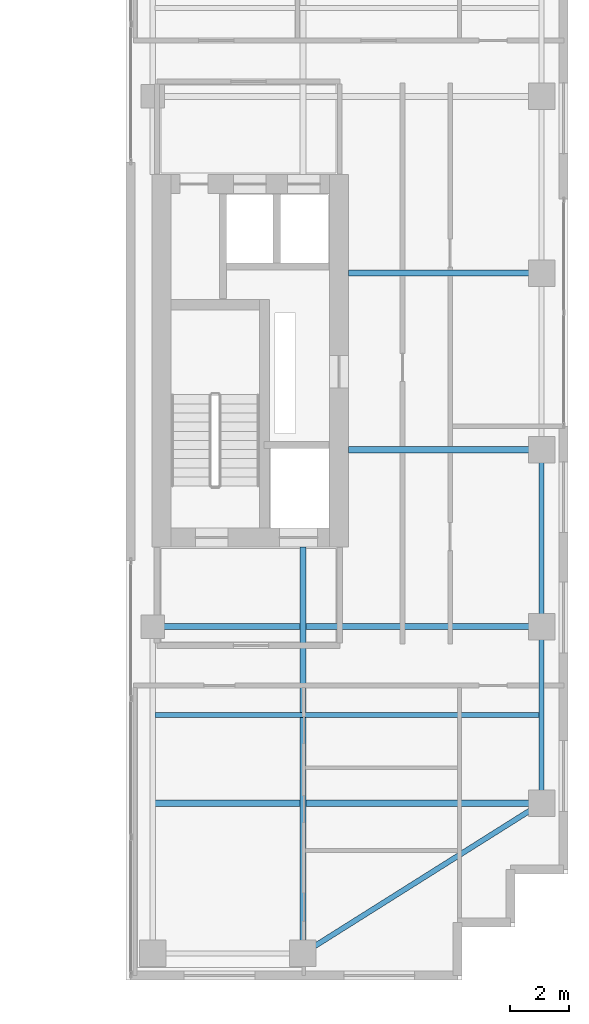
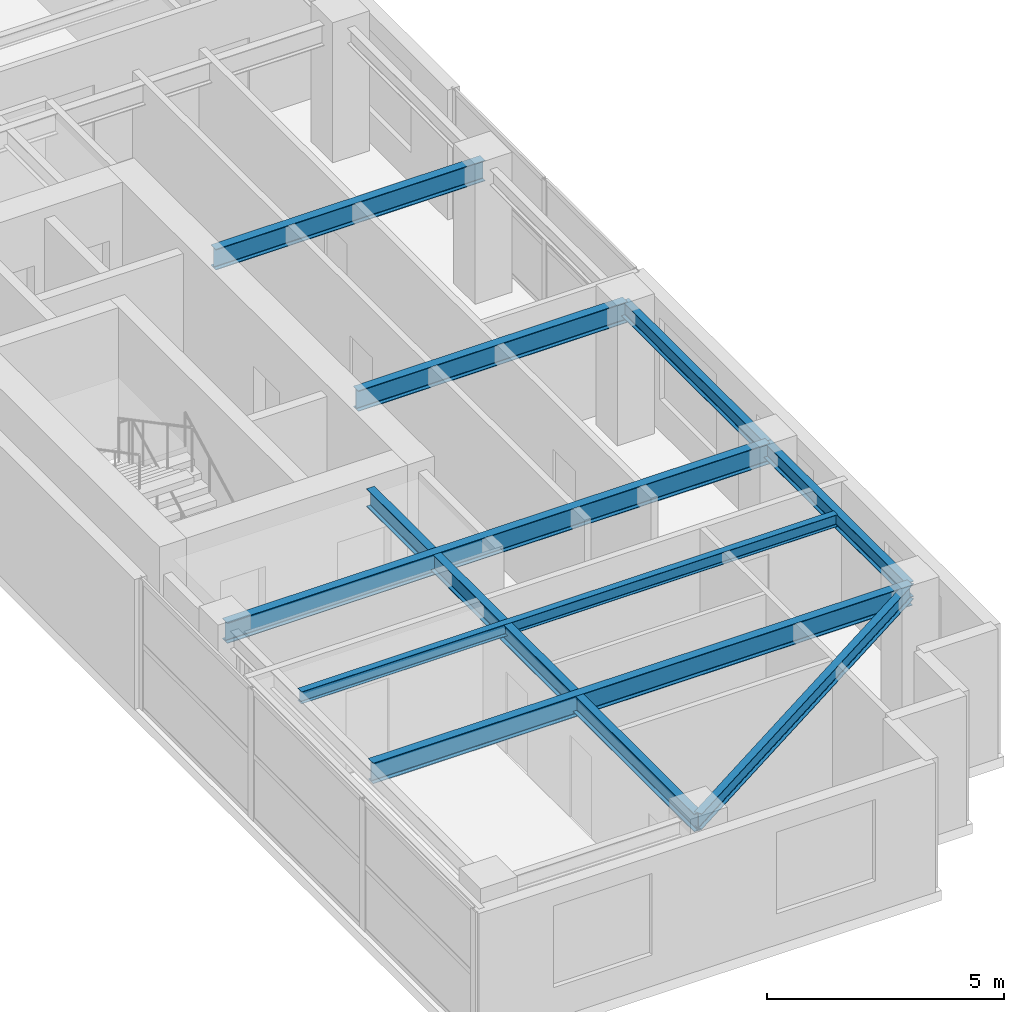
# One storey, part 9 of 22: 9 beams.
"""IFC4 building model written with IfcOpenShell, lengths in metres."""

from ifc_helpers import new_model, si_unit, direction, frame, origin, origin_2d, place, context, subcontext, project, spatial, i_section, extrude, source, transform, mapped, material, material_profile, profile_set, type_object, element, save


model = new_model("IFC4")

# Units and contexts
model_context = context("Model", 3, precision=1e-05, world=origin(), true_north=direction((0.0, 1.0)))
body_context = subcontext(model_context, "Body", "Model", "MODEL_VIEW")
ifc_project = project(units=[si_unit("LENGTHUNIT", "METRE"), si_unit("AREAUNIT", "SQUARE_METRE"), si_unit("VOLUMEUNIT", "CUBIC_METRE"), si_unit("PLANEANGLEUNIT", "RADIAN"), si_unit("MASSUNIT", "GRAM", prefix="KILO")], contexts=[model_context])

# Site, building, storey
site_placement = place(None, origin())
site = spatial("IfcSite", under=ifc_project, at=site_placement, CompositionType="ELEMENT")
building_placement = place(site_placement, origin())
building = spatial("IfcBuilding", under=site, at=building_placement, Name="Khoralis Quay Care Tower", CompositionType="ELEMENT")
storey_placement = place(building_placement, frame((0.0, 0.0, 184.5)))
storey = spatial("IfcBuildingStorey", under=building, at=storey_placement, Name="L48", CompositionType="ELEMENT", Elevation=184.5)

# Beams
ifc_material = material(Name="Steel S355", Category="steel")
ifc_material_profile_1 = material_profile(ifc_material, i_section(OverallWidth=0.179931640625, OverallDepth=0.39990234375, WebThickness=0.008544921875, FlangeThickness=0.013427734375, FilletRadius=0.02099609375, at=origin_2d()), Name="Steel S355")
ifc_profile_set_1 = profile_set([ifc_material_profile_1], Name="Steel S355")
beam_type_1 = type_object("IfcBeamType", Name="BM-IPE400", PredefinedType="SPANDREL", material=ifc_profile_set_1)
shared_shape_1 = source(origin(), body_context, "Body", "SweptSolid", [
    extrude(i_section(OverallWidth=0.179931640625, OverallDepth=0.39990234375, WebThickness=0.008544921875, FlangeThickness=0.013427734375, FilletRadius=0.02099609375, at=origin_2d()), origin(), (0.0, 0.0, 1.0), 6.0),
])
for number, where, z_axis, x_axis, name in (
    (1, (44.10009765625, 6.0, 3.139892578125), (0.0, 1.0, 0.0), (-1.0, 0.0, 0.0), "BM-TSP-L48-10"),
    (2, (44.10009765625, 12.0, 3.139892578125), (0.0, 1.0, 0.0), (-1.0, 0.0, 0.0), "BM-TSP-L48-11"),
):
    element("IfcBeam", number, at=place(storey_placement, frame(where, z_axis=z_axis, x_axis=x_axis)), inside=storey, type_object=beam_type_1, Name=name, PredefinedType="SPANDREL", context=body_context, shape_type="MappedRepresentation", body=[
        mapped(shared_shape_1, transform((0.0, 0.0, 0.0), scale=1.0)),
    ])
shared_shape_2 = source(origin(), body_context, "Body", "SweptSolid", [
    extrude(i_section(OverallWidth=0.179931640625, OverallDepth=0.39990234375, WebThickness=0.008544921875, FlangeThickness=0.013427734375, FilletRadius=0.02099609375, at=origin_2d()), origin(), (0.0, 0.0, 1.0), 9.572021484375),
])
beam_1_placement = place(storey_placement, frame((36.0, 0.89990234375, 3.139892578125), z_axis=(0.846231136359, 0.532815975602, 0.0), x_axis=(-0.532815975602, 0.846231136359, 0.0)))
element("IfcBeam", 3, at=beam_1_placement, inside=storey, type_object=beam_type_1, Name="BM-TCR-L48-16", PredefinedType="SPANDREL", context=body_context, shape_type="MappedRepresentation", body=[
    mapped(shared_shape_2, transform((0.0, 0.0, 0.0), scale=1.0)),
])
ifc_material_profile_2 = material_profile(ifc_material, i_section(OverallWidth=0.208984375, OverallDepth=0.532958984375, WebThickness=0.01025390625, FlangeThickness=0.015625, FilletRadius=0.01611328125, at=origin_2d()), Name="Steel S355")
ifc_profile_set_2 = profile_set([ifc_material_profile_2], Name="Steel S355")
beam_type_2 = type_object("IfcBeamType", Name="BM-W530X92", PredefinedType="BEAM", material=ifc_profile_set_2)
shared_shape_3 = source(origin(), body_context, "Body", "SweptSolid", [
    extrude(i_section(OverallWidth=0.208984375, OverallDepth=0.532958984375, WebThickness=0.01025390625, FlangeThickness=0.015625, FilletRadius=0.01611328125, at=origin_2d()), origin(), (0.0, 0.0, 1.0), 13.1162109375),
])
beam_2_placement = place(storey_placement, frame((30.98388671875, 6.0, 3.073486328125), z_axis=(1.0, 0.0, 0.0), x_axis=(0.0, 1.0, 0.0)))
element("IfcBeam", 4, at=beam_2_placement, inside=storey, type_object=beam_type_2, Name="BM-TGXE-L48-60", PredefinedType="BEAM", context=body_context, shape_type="MappedRepresentation", body=[
    mapped(shared_shape_3, transform((0.0, 0.0, 0.0), scale=1.0)),
])
shared_shape_4 = source(origin(), body_context, "Body", "SweptSolid", [
    extrude(i_section(OverallWidth=0.208984375, OverallDepth=0.532958984375, WebThickness=0.01025390625, FlangeThickness=0.015625, FilletRadius=0.01611328125, at=origin_2d()), origin(), (0.0, 0.0, 1.0), 13.2001953125),
])
beam_3_placement = place(storey_placement, frame((30.89990234375, 12.0, 3.073486328125), z_axis=(1.0, 0.0, 0.0), x_axis=(0.0, 1.0, 0.0)))
element("IfcBeam", 5, at=beam_3_placement, inside=storey, type_object=beam_type_2, Name="BM-TGXE-L48-120", PredefinedType="BEAM", context=body_context, shape_type="MappedRepresentation", body=[
    mapped(shared_shape_4, transform((0.0, 0.0, 0.0), scale=1.0)),
])
shared_shape_5 = source(origin(), body_context, "Body", "SweptSolid", [
    extrude(i_section(OverallWidth=0.208984375, OverallDepth=0.532958984375, WebThickness=0.01025390625, FlangeThickness=0.015625, FilletRadius=0.01611328125, at=origin_2d()), origin(), (0.0, 0.0, 1.0), 6.552001953125),
])
for number, where, z_axis, x_axis, name in (
    (6, (37.548095703125, 18.0, 3.073486328125), (1.0, 0.0, 0.0), (0.0, 1.0, 0.0), "BM-TGXE-L48-180"),
    (7, (37.548095703125, 24.0, 3.073486328125), (1.0, 0.0, 0.0), (0.0, 1.0, 0.0), "BM-TGXE-L48-240"),
):
    element("IfcBeam", number, at=place(storey_placement, frame(where, z_axis=z_axis, x_axis=x_axis)), inside=storey, type_object=beam_type_2, Name=name, PredefinedType="BEAM", context=body_context, shape_type="MappedRepresentation", body=[
        mapped(shared_shape_5, transform((0.0, 0.0, 0.0), scale=1.0)),
    ])
ifc_material_profile_3 = material_profile(ifc_material, i_section(OverallWidth=0.19189453125, OverallDepth=0.462890625, WebThickness=0.010498046875, FlangeThickness=0.017578125, FilletRadius=0.014892578125, at=origin_2d()), Name="Steel S355")
ifc_profile_set_3 = profile_set([ifc_material_profile_3], Name="Steel S355")
beam_type_3 = type_object("IfcBeamType", Name="BM-W460X89", PredefinedType="BEAM", material=ifc_profile_set_3)
shared_shape_6 = source(origin(), body_context, "Body", "SweptSolid", [
    extrude(i_section(OverallWidth=0.19189453125, OverallDepth=0.462890625, WebThickness=0.010498046875, FlangeThickness=0.017578125, FilletRadius=0.014892578125, at=origin_2d()), origin(), (0.0, 0.0, 1.0), 13.802001953125),
])
beam_4_placement = place(storey_placement, frame((36.0, 0.89990234375, 3.1083984375), z_axis=(0.0, 1.0, 0.0), x_axis=(-1.0, 0.0, 0.0)))
element("IfcBeam", 8, at=beam_4_placement, inside=storey, type_object=beam_type_3, Name="BM-TGYS-L48-360", PredefinedType="BEAM", context=body_context, shape_type="MappedRepresentation", body=[
    mapped(shared_shape_6, transform((0.0, 0.0, 0.0), scale=1.0)),
])
ifc_material_profile_4 = material_profile(ifc_material, i_section(OverallWidth=0.1650390625, OverallDepth=0.31005859375, WebThickness=0.005859375, FlangeThickness=0.009765625, FilletRadius=0.011962890625, at=origin_2d()), Name="Steel S355")
ifc_profile_set_4 = profile_set([ifc_material_profile_4], Name="Steel S355")
beam_type_4 = type_object("IfcBeamType", Name="BM-W310X39", PredefinedType="JOIST", material=ifc_profile_set_4)
shared_shape_7 = source(origin(), body_context, "Body", "SweptSolid", [
    extrude(i_section(OverallWidth=0.1650390625, OverallDepth=0.31005859375, WebThickness=0.005859375, FlangeThickness=0.009765625, FilletRadius=0.011962890625, at=origin_2d()), origin(), (0.0, 0.0, 1.0), 13.0400390625),
])
beam_5_placement = place(storey_placement, frame((30.98388671875, 9.0, 3.18505859375), z_axis=(1.0, 0.0, 0.0), x_axis=(0.0, 1.0, 0.0)))
element("IfcBeam", 9, at=beam_5_placement, inside=storey, type_object=beam_type_4, Name="BM-TJS-L48-20", PredefinedType="JOIST", context=body_context, shape_type="MappedRepresentation", body=[
    mapped(shared_shape_7, transform((0.0, 0.0, 0.0), scale=1.0)),
])

save(model, "model.ifc")
